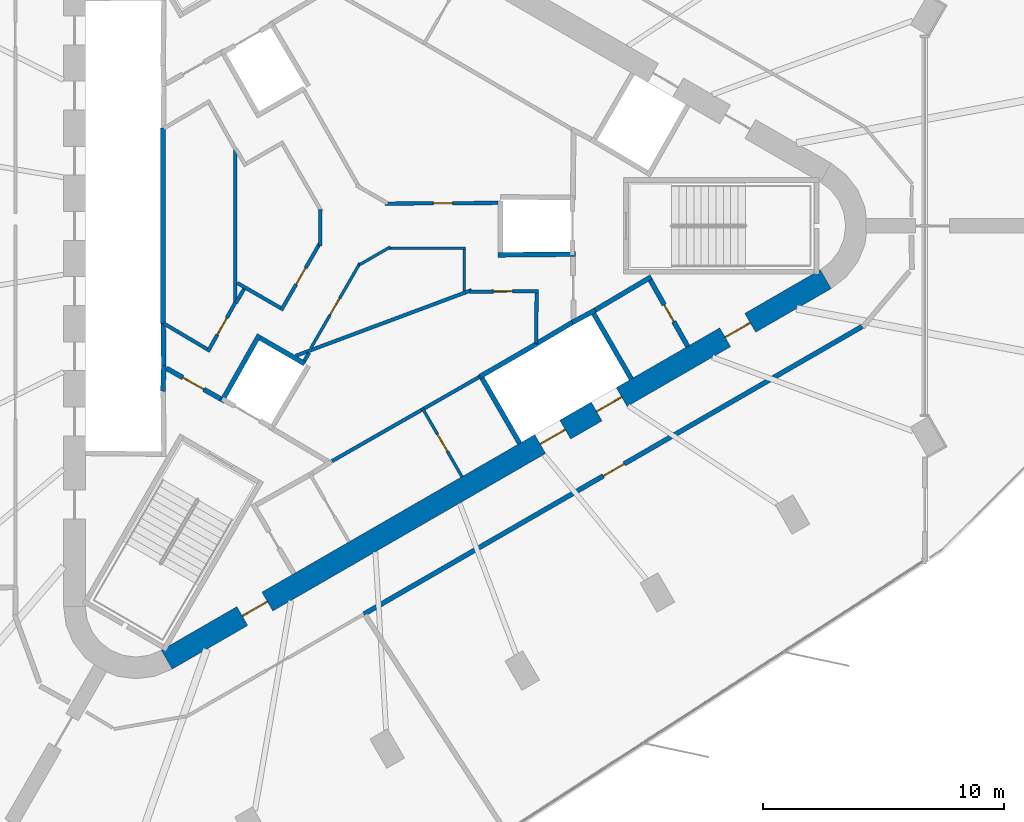
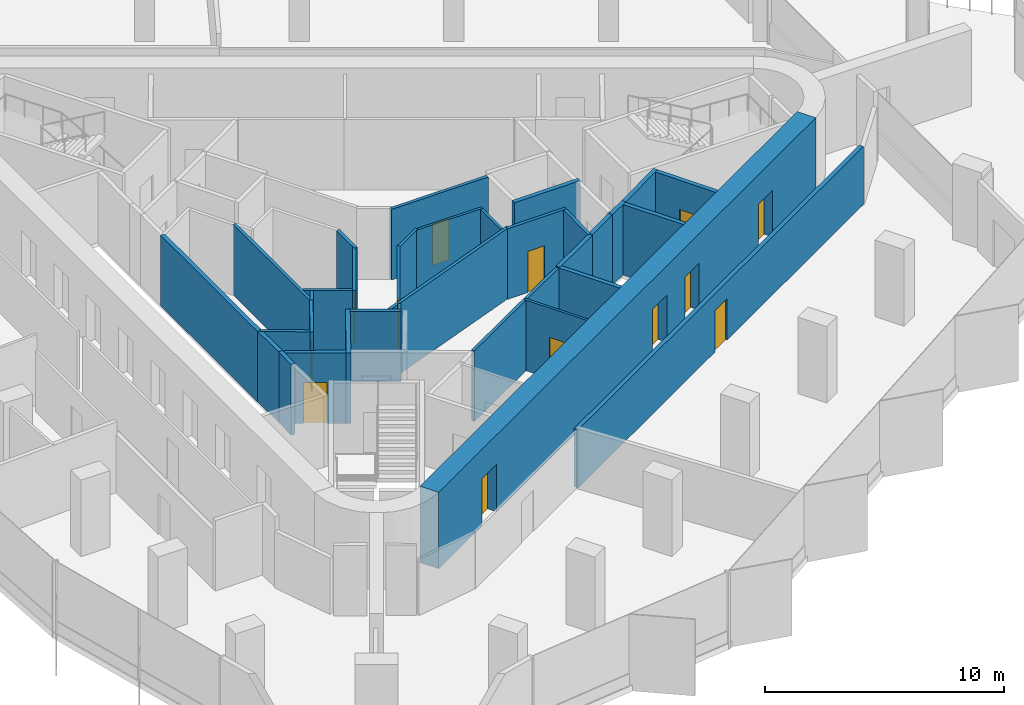
# One storey, part 8 of 12: 34 walls, 13 doors, 13 openings.
"""IFC4 building model written with IfcOpenShell, lengths in metres."""

from ifc_helpers import new_model, si_unit, direction, frame, frame_2d, origin, place, context, subcontext, project, spatial, rectangle, extrude, material, layer, layer_set, type_object, element, fill, save


model = new_model("IFC4")

# Units and contexts
model_context = context("Model", 3, precision=1e-05, world=origin(), true_north=direction((0.0, 1.0)))
body_context = subcontext(model_context, "Body", "Model", "MODEL_VIEW")
ifc_project = project(units=[si_unit("LENGTHUNIT", "METRE"), si_unit("AREAUNIT", "SQUARE_METRE"), si_unit("VOLUMEUNIT", "CUBIC_METRE"), si_unit("PLANEANGLEUNIT", "RADIAN"), si_unit("MASSUNIT", "GRAM", prefix="KILO")], contexts=[model_context])

# Site, building, storey
site_placement = place(None, origin())
site = spatial("IfcSite", under=ifc_project, at=site_placement, CompositionType="ELEMENT")
building_placement = place(site_placement, origin())
building = spatial("IfcBuilding", under=site, at=building_placement, Name="Tanit Gate Tower", CompositionType="ELEMENT")
storey_placement = place(building_placement, frame((0.0, 0.0, 361.10009765625)))
storey = spatial("IfcBuildingStorey", under=building, at=storey_placement, Name="L82", CompositionType="ELEMENT", Elevation=361.10009765625)

# Wall, openings, doors
ifc_material_1 = material(Name="Concrete C40/50", Category="concrete")
ifc_layer_1 = layer(ifc_material_1, 0.89990234375)
ifc_layer_set_1 = layer_set([ifc_layer_1], Name="CORE WALL 900 C40/50")
wall_type_1 = type_object("IfcWallType", Name="CORE WALL 900 C40/50", PredefinedType="SHEAR", material=ifc_layer_set_1)
wall_1_placement = place(storey_placement, frame((-7.824951171875, -17.969970703125, 0.0), z_axis=(0.0, 0.0, 1.0), x_axis=(0.866028369851, 0.499994862586, 0.0)))
wall_1 = element("IfcWall", 1, at=wall_1_placement, inside=storey, type_object=wall_type_1, Name="CORE WALL", PredefinedType="SHEAR", context=body_context, shape_type="SweptSolid", body=[
    extrude(rectangle(XDim=31.523193359375, YDim=0.89990234375, at=frame_2d((15.76171875, 0.0))), origin(), (0.0, 0.0, 1.0), 3.89990234375),
])
opening_1_placement = place(wall_1_placement, frame((17.861572265625, 0.0, 0.0)))
opening_1 = element("IfcOpeningElement", 2, at=opening_1_placement, cuts=wall_1, Name="Opening LDSV1-82", PredefinedType="OPENING", context=body_context, shape_type="SweptSolid", body=[
    extrude(rectangle(XDim=1.199951171875, YDim=2.39990234375, at=frame_2d((0.60009765625, 1.199951171875))), frame((0.0, 0.4599609375, 0.0), z_axis=(0.0, -1.0, 0.0), x_axis=(1.0, 0.0, 0.0)), (0.0, 0.0, 1.0), 0.919921875),
])
opening_2_placement = place(wall_1_placement, frame((20.561767578125, 0.0, 0.0)))
opening_2 = element("IfcOpeningElement", 3, at=opening_2_placement, cuts=wall_1, Name="Opening LDSV2-82", PredefinedType="OPENING", context=body_context, shape_type="SweptSolid", body=[
    extrude(rectangle(XDim=1.199951171875, YDim=2.39990234375, at=frame_2d((0.60009765625, 1.199951171875))), frame((0.0, 0.4599609375, 0.0), z_axis=(0.0, -1.0, 0.0), x_axis=(1.0, 0.0, 0.0)), (0.0, 0.0, 1.0), 0.919921875),
])
opening_3_placement = place(wall_1_placement, frame((26.711669921875, 0.0, 0.0)))
opening_3 = element("IfcOpeningElement", 4, at=opening_3_placement, cuts=wall_1, Name="Opening F12-82-S1", PredefinedType="OPENING", context=body_context, shape_type="SweptSolid", body=[
    extrude(rectangle(XDim=1.199951171875, YDim=2.39990234375, at=frame_2d((0.60009765625, 1.199951171875))), frame((0.0, 0.4599609375, 0.0), z_axis=(0.0, -1.0, 0.0), x_axis=(1.0, 0.0, 0.0)), (0.0, 0.0, 1.0), 0.919921875),
])
opening_4_placement = place(wall_1_placement, frame((3.611572265625, 0.0, 0.0)))
opening_4 = element("IfcOpeningElement", 5, at=opening_4_placement, cuts=wall_1, Name="Opening F12-82-FL3", PredefinedType="OPENING", context=body_context, shape_type="SweptSolid", body=[
    extrude(rectangle(XDim=1.199951171875, YDim=2.39990234375, at=frame_2d((0.60009765625, 1.199951171875))), frame((0.0, 0.4599609375, 0.0), z_axis=(0.0, -1.0, 0.0), x_axis=(1.0, 0.0, 0.0)), (0.0, 0.0, 1.0), 0.919921875),
])
ifc_material_2 = material(Name="Fire-rated steel door leaf", Category="steel")
door_type_1 = type_object("IfcDoorType", Name="INT-DOOR-FIRE-LOBBY-1200", OperationType="NOTDEFINED", PredefinedType="USERDEFINED", material=ifc_material_2)
door_1_placement = place(opening_3_placement, origin())
door_1 = element("IfcDoor", 6, at=door_1_placement, inside=storey, type_object=door_type_1, Name="Door F12-82-S1", ObjectType="FIRE DOOR", OperationType="SINGLE_SWING_RIGHT", OverallHeight=2.39990234375, OverallWidth=1.199951171875, PredefinedType="USERDEFINED", context=body_context, shape_type="SweptSolid", body=[
    extrude(rectangle(XDim=1.199951171875, YDim=2.39990234375, at=frame_2d((0.60009765625, 1.199951171875))), frame((0.0, 0.02490234375, 0.0), z_axis=(0.0, -1.0, 0.0), x_axis=(1.0, 0.0, 0.0)), (0.0, 0.0, 1.0), 0.050048828125),
])
fill(opening_3, door_1)
door_2_placement = place(opening_4_placement, origin())
door_2 = element("IfcDoor", 7, at=door_2_placement, inside=storey, type_object=door_type_1, Name="Door F12-82-FL3", ObjectType="FIRE DOOR", OperationType="SINGLE_SWING_LEFT", OverallHeight=2.39990234375, OverallWidth=1.199951171875, PredefinedType="USERDEFINED", context=body_context, shape_type="SweptSolid", body=[
    extrude(rectangle(XDim=1.199951171875, YDim=2.39990234375, at=frame_2d((0.60009765625, 1.199951171875))), frame((0.0, 0.02490234375, 0.0), z_axis=(0.0, -1.0, 0.0), x_axis=(1.0, 0.0, 0.0)), (0.0, 0.0, 1.0), 0.050048828125),
])
fill(opening_4, door_2)
ifc_material_3 = material(Name="Stainless steel sliding door leaf", Category="steel")
door_type_2 = type_object("IfcDoorType", Name="INT-DOOR-LANDING-1200", OperationType="NOTDEFINED", PredefinedType="USERDEFINED", material=ifc_material_3)
door_3_placement = place(opening_1_placement, origin())
door_3 = element("IfcDoor", 8, at=door_3_placement, inside=storey, type_object=door_type_2, Name="Door LDSV1-82", ObjectType="LANDING DOOR", OperationType="SLIDING_TO_LEFT", OverallHeight=2.39990234375, OverallWidth=1.199951171875, PredefinedType="USERDEFINED", context=body_context, shape_type="SweptSolid", body=[
    extrude(rectangle(XDim=1.199951171875, YDim=2.39990234375, at=frame_2d((0.60009765625, 1.199951171875))), frame((0.0, 0.02490234375, 0.0), z_axis=(0.0, -1.0, 0.0), x_axis=(1.0, 0.0, 0.0)), (0.0, 0.0, 1.0), 0.050048828125),
])
fill(opening_1, door_3)
door_4_placement = place(opening_2_placement, origin())
door_4 = element("IfcDoor", 9, at=door_4_placement, inside=storey, type_object=door_type_2, Name="Door LDSV2-82", ObjectType="LANDING DOOR", OperationType="SLIDING_TO_LEFT", OverallHeight=2.39990234375, OverallWidth=1.199951171875, PredefinedType="USERDEFINED", context=body_context, shape_type="SweptSolid", body=[
    extrude(rectangle(XDim=1.199951171875, YDim=2.39990234375, at=frame_2d((0.60009765625, 1.199951171875))), frame((0.0, 0.02490234375, 0.0), z_axis=(0.0, -1.0, 0.0), x_axis=(1.0, 0.0, 0.0)), (0.0, 0.0, 1.0), 0.050048828125),
])
fill(opening_2, door_4)

# Wall
ifc_material_4 = material(Name="Fire-rated gypsum board partition")
ifc_layer_2 = layer(ifc_material_4, 0.199951171875)
ifc_layer_set_2 = layer_set([ifc_layer_2], Name="INT-WALL-COMPARTMENT")
wall_type_2 = type_object("IfcWallType", Name="INT-WALL-COMPARTMENT", PredefinedType="PARTITIONING", material=ifc_layer_set_2)
wall_2_placement = place(storey_placement, frame((12.244873046875, -2.10888671875, 0.0), z_axis=(0.0, 0.0, 1.0), x_axis=(-0.860414880418, -0.509594185166, 0.0)))
element("IfcWall", 10, at=wall_2_placement, inside=storey, type_object=wall_type_2, Name="Wall Compartment W060", PredefinedType="PARTITIONING", context=body_context, shape_type="SweptSolid", body=[
    extrude(rectangle(XDim=2.7001953125, YDim=0.199951171875, at=frame_2d((1.35009765625, 0.0))), origin(), (0.0, 0.0, 1.0), 3.599853515625),
])

# Wall, opening, door
wall_3_placement = place(storey_placement, frame((13.758056640625, -4.989501953125, 0.0), z_axis=(0.0, 0.0, 1.0), x_axis=(-0.491993409184, 0.87059892334, 0.0)))
wall_3 = element("IfcWall", 11, at=wall_3_placement, inside=storey, type_object=wall_type_2, Name="Wall Compartment W061", PredefinedType="PARTITIONING", context=body_context, shape_type="SweptSolid", body=[
    extrude(rectangle(XDim=3.150146484375, YDim=0.199951171875, at=frame_2d((1.5751953125, 0.0))), origin(), (0.0, 0.0, 1.0), 3.599853515625),
])
opening_5_placement = place(wall_3_placement, frame((1.175048828125, 0.0, 0.0)))
opening_5 = element("IfcOpeningElement", 12, at=opening_5_placement, cuts=wall_3, Name="Opening R08-82-20", PredefinedType="OPENING", context=body_context, shape_type="SweptSolid", body=[
    extrude(rectangle(XDim=0.800048828125, YDim=2.10009765625, at=frame_2d((0.39990234375, 1.050048828125))), frame((0.0, 0.10986328125, 0.0), z_axis=(0.0, -1.0, 0.0), x_axis=(1.0, 0.0, 0.0)), (0.0, 0.0, 1.0), 0.219970703125),
])
ifc_material_5 = material(Name="Timber door leaf", Category="wood")
door_type_3 = type_object("IfcDoorType", Name="INT-DOOR-RISER-800", OperationType="NOTDEFINED", PredefinedType="USERDEFINED", material=ifc_material_5)
door_5_placement = place(opening_5_placement, origin())
door_5 = element("IfcDoor", 13, at=door_5_placement, inside=storey, type_object=door_type_3, Name="Door R08-82-20", ObjectType="FIRE DOOR", OperationType="SINGLE_SWING_LEFT", OverallHeight=2.10009765625, OverallWidth=0.800048828125, PredefinedType="USERDEFINED", context=body_context, shape_type="SweptSolid", body=[
    extrude(rectangle(XDim=0.800048828125, YDim=2.10009765625, at=frame_2d((0.39990234375, 1.050048828125))), frame((0.0, 0.02490234375, 0.0), z_axis=(0.0, -1.0, 0.0), x_axis=(1.0, 0.0, 0.0)), (0.0, 0.0, 1.0), 0.050048828125),
])
fill(opening_5, door_5)

wall_4_placement = place(storey_placement, frame((-7.849365234375, -5.893798828125, 0.0), z_axis=(0.0, 0.0, 1.0), x_axis=(0.871363259478, -0.490638431059, 0.0)))
wall_4 = element("IfcWall", 14, at=wall_4_placement, inside=storey, type_object=wall_type_2, Name="Wall Compartment W067", PredefinedType="PARTITIONING", context=body_context, shape_type="SweptSolid", body=[
    extrude(rectangle(XDim=2.5810546875, YDim=0.199951171875, at=frame_2d((1.29052734375, 0.0))), origin(), (0.0, 0.0, 1.0), 3.599853515625),
])
opening_6_placement = place(wall_4_placement, frame((0.79052734375, 0.0, 0.0)))
opening_6 = element("IfcOpeningElement", 15, at=opening_6_placement, cuts=wall_4, Name="Opening F10-82-08", PredefinedType="OPENING", context=body_context, shape_type="SweptSolid", body=[
    extrude(rectangle(XDim=1.0, YDim=2.10009765625, at=frame_2d((0.5, 1.050048828125))), frame((0.0, 0.10986328125, 0.0), z_axis=(0.0, -1.0, 0.0), x_axis=(1.0, 0.0, 0.0)), (0.0, 0.0, 1.0), 0.219970703125),
])
ifc_material_6 = material(Name="Fire-rated steel door leaf", Category="steel")
door_type_4 = type_object("IfcDoorType", Name="INT-DOOR-FIRE-1000", OperationType="NOTDEFINED", PredefinedType="USERDEFINED", material=ifc_material_6)
door_6_placement = place(opening_6_placement, origin())
door_6 = element("IfcDoor", 16, at=door_6_placement, inside=storey, type_object=door_type_4, Name="Door F10-82-08", ObjectType="FIRE DOOR", OperationType="SINGLE_SWING_LEFT", OverallHeight=2.10009765625, OverallWidth=1.0, PredefinedType="USERDEFINED", context=body_context, shape_type="SweptSolid", body=[
    extrude(rectangle(XDim=1.0, YDim=2.10009765625, at=frame_2d((0.5, 1.050048828125))), frame((0.0, 0.02490234375, 0.0), z_axis=(0.0, -1.0, 0.0), x_axis=(1.0, 0.0, 0.0)), (0.0, 0.0, 1.0), 0.050048828125),
])
fill(opening_6, door_6)

wall_5_placement = place(storey_placement, frame((0.34423828125, -16.08251953125, 0.0), z_axis=(0.0, 0.0, 1.0), x_axis=(0.866024747457, 0.500001136791, 0.0)))
wall_5 = element("IfcWall", 17, at=wall_5_placement, inside=storey, type_object=wall_type_2, Name="Wall Compartment W124", PredefinedType="PARTITIONING", context=body_context, shape_type="SweptSolid", body=[
    extrude(rectangle(XDim=23.8369140625, YDim=0.199951171875, at=frame_2d((11.91845703125, 0.0))), origin(), (0.0, 0.0, 1.0), 2.969970703125),
])
opening_7_placement = place(wall_5_placement, frame((11.4541015625, 0.0, 0.0)))
opening_7 = element("IfcOpeningElement", 18, at=opening_7_placement, cuts=wall_5, Name="Opening F10-82-28", PredefinedType="OPENING", context=body_context, shape_type="SweptSolid", body=[
    extrude(rectangle(XDim=1.0, YDim=2.10009765625, at=frame_2d((0.5, 1.050048828125))), frame((0.0, 0.10986328125, 0.0), z_axis=(0.0, -1.0, 0.0), x_axis=(1.0, 0.0, 0.0)), (0.0, 0.0, 1.0), 0.219970703125),
])
door_7_placement = place(opening_7_placement, origin())
door_7 = element("IfcDoor", 19, at=door_7_placement, inside=storey, type_object=door_type_4, Name="Door F10-82-28", ObjectType="FIRE DOOR", OperationType="SINGLE_SWING_RIGHT", OverallHeight=2.10009765625, OverallWidth=1.0, PredefinedType="USERDEFINED", context=body_context, shape_type="SweptSolid", body=[
    extrude(rectangle(XDim=1.0, YDim=2.10009765625, at=frame_2d((0.5, 1.050048828125))), frame((0.0, 0.02490234375, 0.0), z_axis=(0.0, -1.0, 0.0), x_axis=(1.0, 0.0, 0.0)), (0.0, 0.0, 1.0), 0.050048828125),
])
fill(opening_7, door_7)

ifc_material_7 = material(Name="Gypsum board partition")
ifc_layer_3 = layer(ifc_material_7, 0.1201171875)
ifc_layer_set_3 = layer_set([ifc_layer_3], Name="INT-WALL-PARTITION")
wall_type_3 = type_object("IfcWallType", Name="INT-WALL-PARTITION", PredefinedType="PARTITIONING", material=ifc_layer_set_3)
wall_6_placement = place(storey_placement, frame((4.40478515625, -10.389404296875, 0.0), z_axis=(0.0, 0.0, 1.0), x_axis=(-0.500017246033, 0.866015446554, 0.0)))
wall_6 = element("IfcWall", 20, at=wall_6_placement, inside=storey, type_object=wall_type_3, Name="Wall Partition W056", PredefinedType="PARTITIONING", context=body_context, shape_type="SweptSolid", body=[
    extrude(rectangle(XDim=3.25, YDim=0.1201171875, at=frame_2d((1.625, 0.0))), origin(), (0.0, 0.0, 1.0), 3.599853515625),
])
opening_8_placement = place(wall_6_placement, frame((1.22509765625, 0.0, 0.0)))
opening_8 = element("IfcOpeningElement", 21, at=opening_8_placement, cuts=wall_6, Name="Opening R08-82-19", PredefinedType="OPENING", context=body_context, shape_type="SweptSolid", body=[
    extrude(rectangle(XDim=0.800048828125, YDim=2.10009765625, at=frame_2d((0.39990234375, 1.050048828125))), frame((0.0, 0.070068359375, 0.0), z_axis=(0.0, -1.0, 0.0), x_axis=(1.0, 0.0, 0.0)), (0.0, 0.0, 1.0), 0.14013671875),
])
door_8_placement = place(opening_8_placement, origin())
door_8 = element("IfcDoor", 22, at=door_8_placement, inside=storey, type_object=door_type_3, Name="Door R08-82-19", ObjectType="FIRE DOOR", OperationType="SINGLE_SWING_RIGHT", OverallHeight=2.10009765625, OverallWidth=0.800048828125, PredefinedType="USERDEFINED", context=body_context, shape_type="SweptSolid", body=[
    extrude(rectangle(XDim=0.800048828125, YDim=2.10009765625, at=frame_2d((0.39990234375, 1.050048828125))), frame((0.0, 0.02490234375, 0.0), z_axis=(0.0, -1.0, 0.0), x_axis=(1.0, 0.0, 0.0)), (0.0, 0.0, 1.0), 0.050048828125),
])
fill(opening_8, door_8)

wall_7_placement = place(storey_placement, frame((0.181884765625, -1.534912109375, 0.0), z_axis=(0.0, 0.0, 1.0), x_axis=(-0.499988401207, -0.866032100247, 0.0)))
wall_7 = element("IfcWall", 23, at=wall_7_placement, inside=storey, type_object=wall_type_3, Name="Wall Partition W072", PredefinedType="PARTITIONING", context=body_context, shape_type="SweptSolid", body=[
    extrude(rectangle(XDim=4.0791015625, YDim=0.1201171875, at=frame_2d((2.03955078125, 0.0))), origin(), (0.0, 0.0, 1.0), 3.599853515625),
])
opening_9_placement = place(wall_7_placement, frame((1.69140625, 0.0, 0.0)))
opening_9 = element("IfcOpeningElement", 24, at=opening_9_placement, cuts=wall_7, Name="Opening R08-82-11", PredefinedType="OPENING", context=body_context, shape_type="SweptSolid", body=[
    extrude(rectangle(XDim=0.800048828125, YDim=2.10009765625, at=frame_2d((0.39990234375, 1.050048828125))), frame((0.0, 0.070068359375, 0.0), z_axis=(0.0, -1.0, 0.0), x_axis=(1.0, 0.0, 0.0)), (0.0, 0.0, 1.0), 0.14013671875),
])
door_9_placement = place(opening_9_placement, origin())
door_9 = element("IfcDoor", 25, at=door_9_placement, inside=storey, type_object=door_type_3, Name="Door R08-82-11", ObjectType="FIRE DOOR", OperationType="SINGLE_SWING_LEFT", OverallHeight=2.10009765625, OverallWidth=0.800048828125, PredefinedType="USERDEFINED", context=body_context, shape_type="SweptSolid", body=[
    extrude(rectangle(XDim=0.800048828125, YDim=2.10009765625, at=frame_2d((0.39990234375, 1.050048828125))), frame((0.0, 0.02490234375, 0.0), z_axis=(0.0, -1.0, 0.0), x_axis=(1.0, 0.0, 0.0)), (0.0, 0.0, 1.0), 0.050048828125),
])
fill(opening_9, door_9)

# Walls
wall_8_placement = place(storey_placement, frame((1.432373046875, -0.873046875, 0.0), z_axis=(0.0, 0.0, 1.0), x_axis=(-0.866029572143, -0.499992780121, 0.0)))
element("IfcWall", 26, at=wall_8_placement, inside=storey, type_object=wall_type_3, Name="Wall Partition W073", PredefinedType="PARTITIONING", context=body_context, shape_type="SweptSolid", body=[
    extrude(rectangle(XDim=1.4853515625, YDim=0.1201171875, at=frame_2d((0.74267578125, 0.0))), origin(), (0.0, 0.0, 1.0), 3.599853515625),
])
wall_9_placement = place(storey_placement, frame((4.56005859375, -0.925048828125, 0.0), z_axis=(0.0, 0.0, 1.0), x_axis=(-1.0, 0.0, 0.0)))
element("IfcWall", 27, at=wall_9_placement, inside=storey, type_object=wall_type_3, Name="Wall Partition W074", PredefinedType="PARTITIONING", context=body_context, shape_type="SweptSolid", body=[
    extrude(rectangle(XDim=3.19921875, YDim=0.1201171875, at=frame_2d((1.599609375, 0.0))), origin(), (0.0, 0.0, 1.0), 3.599853515625),
])
wall_10_placement = place(storey_placement, frame((4.5, -2.699951171875, 0.0), z_axis=(0.0, 0.0, 1.0), x_axis=(0.0, 1.0, 0.0)))
element("IfcWall", 28, at=wall_10_placement, inside=storey, type_object=wall_type_3, Name="Wall Partition W075", PredefinedType="PARTITIONING", context=body_context, shape_type="SweptSolid", body=[
    extrude(rectangle(XDim=1.71484375, YDim=0.1201171875, at=frame_2d((0.857421875, 0.0))), origin(), (0.0, 0.0, 1.0), 3.599853515625),
])
ifc_material_8 = material(Name="Fire-rated gypsum board partition")
ifc_layer_4 = layer(ifc_material_8, 0.14990234375)
ifc_layer_set_4 = layer_set([ifc_layer_4], Name="INT-WALL-RISER")
wall_type_4 = type_object("IfcWallType", Name="INT-WALL-RISER", PredefinedType="PLUMBINGWALL", material=ifc_layer_set_4)
wall_11_placement = place(storey_placement, frame((-0.980224609375, -9.746337890625, 0.0), z_axis=(0.0, 0.0, 1.0), x_axis=(0.868105023632, 0.496380567654, 0.0)))
element("IfcWall", 29, at=wall_11_placement, inside=storey, type_object=wall_type_4, Name="Wall Riser W058", PredefinedType="PLUMBINGWALL", context=body_context, shape_type="SweptSolid", body=[
    extrude(rectangle(XDim=7.072265625, YDim=0.14990234375, at=frame_2d((3.5361328125, 0.0))), origin(), (0.0, 0.0, 1.0), 3.599853515625),
])

# Wall, opening, door
wall_12_placement = place(storey_placement, frame((1.21435546875, 0.924072265625, 0.0), z_axis=(0.0, 0.0, 1.0), x_axis=(0.999979796062, 0.006356686907, 0.0)))
wall_12 = element("IfcWall", 30, at=wall_12_placement, inside=storey, type_object=wall_type_4, Name="Wall Riser W068", PredefinedType="PLUMBINGWALL", context=body_context, shape_type="SweptSolid", body=[
    extrude(rectangle(XDim=4.685546875, YDim=0.14990234375, at=frame_2d((2.3427734375, 0.0))), origin(), (0.0, 0.0, 1.0), 3.599853515625),
])
opening_10_placement = place(wall_12_placement, frame((2.0068359375, 0.0, 0.0)))
opening_10 = element("IfcOpeningElement", 31, at=opening_10_placement, cuts=wall_12, Name="Opening R08-82-10", PredefinedType="OPENING", context=body_context, shape_type="SweptSolid", body=[
    extrude(rectangle(XDim=0.800048828125, YDim=2.10009765625, at=frame_2d((0.39990234375, 1.050048828125))), frame((0.0, 0.0849609375, 0.0), z_axis=(0.0, -1.0, 0.0), x_axis=(1.0, 0.0, 0.0)), (0.0, 0.0, 1.0), 0.169921875),
])
door_10_placement = place(opening_10_placement, origin())
door_10 = element("IfcDoor", 32, at=door_10_placement, inside=storey, type_object=door_type_3, Name="Door R08-82-10", ObjectType="FIRE DOOR", OperationType="SINGLE_SWING_LEFT", OverallHeight=2.10009765625, OverallWidth=0.800048828125, PredefinedType="USERDEFINED", context=body_context, shape_type="SweptSolid", body=[
    extrude(rectangle(XDim=0.800048828125, YDim=2.10009765625, at=frame_2d((0.39990234375, 1.050048828125))), frame((0.0, 0.02490234375, 0.0), z_axis=(0.0, -1.0, 0.0), x_axis=(1.0, 0.0, 0.0)), (0.0, 0.0, 1.0), 0.050048828125),
])
fill(opening_10, door_10)

# Walls
wall_13_placement = place(storey_placement, frame((4.80712890625, -2.658935546875, 0.0), z_axis=(0.0, 0.0, 1.0), x_axis=(-0.936818342118, -0.349816228714, 0.0)))
element("IfcWall", 33, at=wall_13_placement, inside=storey, type_object=wall_type_4, Name="Wall Riser W071", PredefinedType="PLUMBINGWALL", context=body_context, shape_type="SweptSolid", body=[
    extrude(rectangle(XDim=7.779541015625, YDim=0.14990234375, at=frame_2d((3.8896484375, 0.0))), origin(), (0.0, 0.0, 1.0), 3.599853515625),
])
wall_14_placement = place(storey_placement, frame((-1.93212890625, -5.255615234375, 0.0), z_axis=(0.0, 0.0, 1.0), x_axis=(-0.499777709171, -0.866153705422, 0.0)))
element("IfcWall", 34, at=wall_14_placement, inside=storey, type_object=wall_type_4, Name="Wall Riser W076", PredefinedType="PLUMBINGWALL", context=body_context, shape_type="SweptSolid", body=[
    extrude(rectangle(XDim=0.382568359375, YDim=0.14990234375, at=frame_2d((0.19140625, 0.0))), origin(), (0.0, 0.0, 1.0), 3.599853515625),
])

# Wall, opening, door
wall_15_placement = place(storey_placement, frame((7.574951171875, -2.69921875, 0.0), z_axis=(0.0, 0.0, 1.0), x_axis=(-0.999947791603, -0.010218320275, 0.0)))
wall_15 = element("IfcWall", 35, at=wall_15_placement, inside=storey, type_object=wall_type_4, Name="Wall Riser W077", PredefinedType="PLUMBINGWALL", context=body_context, shape_type="SweptSolid", body=[
    extrude(rectangle(XDim=2.8671875, YDim=0.14990234375, at=frame_2d((1.43359375, 0.0))), origin(), (0.0, 0.0, 1.0), 3.599853515625),
])
opening_11_placement = place(wall_15_placement, frame((1.071044921875, 0.0, 0.0)))
opening_11 = element("IfcOpeningElement", 36, at=opening_11_placement, cuts=wall_15, Name="Opening R08-82-12", PredefinedType="OPENING", context=body_context, shape_type="SweptSolid", body=[
    extrude(rectangle(XDim=0.800048828125, YDim=2.10009765625, at=frame_2d((0.39990234375, 1.050048828125))), frame((0.0, 0.0849609375, 0.0), z_axis=(0.0, -1.0, 0.0), x_axis=(1.0, 0.0, 0.0)), (0.0, 0.0, 1.0), 0.169921875),
])
door_11_placement = place(opening_11_placement, origin())
door_11 = element("IfcDoor", 37, at=door_11_placement, inside=storey, type_object=door_type_3, Name="Door R08-82-12", ObjectType="FIRE DOOR", OperationType="SINGLE_SWING_RIGHT", OverallHeight=2.10009765625, OverallWidth=0.800048828125, PredefinedType="USERDEFINED", context=body_context, shape_type="SweptSolid", body=[
    extrude(rectangle(XDim=0.800048828125, YDim=2.10009765625, at=frame_2d((0.39990234375, 1.050048828125))), frame((0.0, 0.02490234375, 0.0), z_axis=(0.0, -1.0, 0.0), x_axis=(1.0, 0.0, 0.0)), (0.0, 0.0, 1.0), 0.050048828125),
])
fill(opening_11, door_11)

# Walls
wall_16_placement = place(storey_placement, frame((7.474609375, -4.864501953125, 0.0), z_axis=(0.0, 0.0, 1.0), x_axis=(0.011682810534, 0.99993175364, 0.0)))
element("IfcWall", 38, at=wall_16_placement, inside=storey, type_object=wall_type_4, Name="Wall Riser W078", PredefinedType="PLUMBINGWALL", context=body_context, shape_type="SweptSolid", body=[
    extrude(rectangle(XDim=2.08984375, YDim=0.14990234375, at=frame_2d((1.044921875, 0.0))), origin(), (0.0, 0.0, 1.0), 3.599853515625),
])
wall_17_placement = place(storey_placement, frame((-4.985107421875, -3.234619140625, 0.0), z_axis=(0.0, 0.0, 1.0), x_axis=(0.0, 1.0, 0.0)))
element("IfcWall", 39, at=wall_17_placement, inside=storey, type_object=wall_type_4, Name="Wall Riser W079", PredefinedType="PLUMBINGWALL", context=body_context, shape_type="SweptSolid", body=[
    extrude(rectangle(XDim=6.46923828125, YDim=0.14990234375, at=frame_2d((3.234619140625, 0.0))), origin(), (0.0, 0.0, 1.0), 3.599853515625),
])

# Wall, opening, door
wall_18_placement = place(storey_placement, frame((-6.125, -5.210693359375, 0.0), z_axis=(0.0, 0.0, 1.0), x_axis=(0.488762436737, 0.87241691893, 0.0)))
wall_18 = element("IfcWall", 40, at=wall_18_placement, inside=storey, type_object=wall_type_4, Name="Wall Riser W080", PredefinedType="PLUMBINGWALL", context=body_context, shape_type="SweptSolid", body=[
    extrude(rectangle(XDim=2.336669921875, YDim=0.14990234375, at=frame_2d((1.16845703125, 0.0))), origin(), (0.0, 0.0, 1.0), 3.599853515625),
])
opening_12_placement = place(wall_18_placement, frame((0.805908203125, 0.0, 0.0)))
opening_12 = element("IfcOpeningElement", 41, at=opening_12_placement, cuts=wall_18, Name="Opening R08-82-13", PredefinedType="OPENING", context=body_context, shape_type="SweptSolid", body=[
    extrude(rectangle(XDim=0.800048828125, YDim=2.10009765625, at=frame_2d((0.39990234375, 1.050048828125))), frame((0.0, 0.0849609375, 0.0), z_axis=(0.0, -1.0, 0.0), x_axis=(1.0, 0.0, 0.0)), (0.0, 0.0, 1.0), 0.169921875),
])
door_12_placement = place(opening_12_placement, origin())
door_12 = element("IfcDoor", 42, at=door_12_placement, inside=storey, type_object=door_type_3, Name="Door R08-82-13", ObjectType="FIRE DOOR", OperationType="SINGLE_SWING_LEFT", OverallHeight=2.10009765625, OverallWidth=0.800048828125, PredefinedType="USERDEFINED", context=body_context, shape_type="SweptSolid", body=[
    extrude(rectangle(XDim=0.800048828125, YDim=2.10009765625, at=frame_2d((0.39990234375, 1.050048828125))), frame((0.0, 0.02490234375, 0.0), z_axis=(0.0, -1.0, 0.0), x_axis=(1.0, 0.0, 0.0)), (0.0, 0.0, 1.0), 0.050048828125),
])
fill(opening_12, door_12)

# Walls
wall_19_placement = place(storey_placement, frame((-7.949951171875, -4.041015625, 0.0), z_axis=(0.0, 0.0, 1.0), x_axis=(0.860090281069, -0.510141851263, 0.0)))
element("IfcWall", 43, at=wall_19_placement, inside=storey, type_object=wall_type_4, Name="Wall Riser W081", PredefinedType="PLUMBINGWALL", context=body_context, shape_type="SweptSolid", body=[
    extrude(rectangle(XDim=2.08935546875, YDim=0.14990234375, at=frame_2d((1.044677734375, 0.0))), origin(), (0.0, 0.0, 1.0), 3.599853515625),
])
wall_20_placement = place(storey_placement, frame((-1.47216796875, -0.829833984375, 0.0), z_axis=(0.0, 0.0, 1.0), x_axis=(0.0, 1.0, 0.0)))
element("IfcWall", 44, at=wall_20_placement, inside=storey, type_object=wall_type_4, Name="Wall Riser W087", PredefinedType="PLUMBINGWALL", context=body_context, shape_type="SweptSolid", body=[
    extrude(rectangle(XDim=1.506591796875, YDim=0.14990234375, at=frame_2d((0.75341796875, 0.0))), origin(), (0.0, 0.0, 1.0), 3.599853515625),
])

# Wall, opening, door
wall_21_placement = place(storey_placement, frame((-3.088623046875, -3.49951171875, 0.0), z_axis=(0.0, 0.0, 1.0), x_axis=(0.500025362525, 0.866010760229, 0.0)))
wall_21 = element("IfcWall", 45, at=wall_21_placement, inside=storey, type_object=wall_type_4, Name="Wall Riser W088", PredefinedType="PLUMBINGWALL", context=body_context, shape_type="SweptSolid", body=[
    extrude(rectangle(XDim=3.209228515625, YDim=0.14990234375, at=frame_2d((1.6044921875, 0.0))), origin(), (0.0, 0.0, 1.0), 3.599853515625),
])
opening_13_placement = place(wall_21_placement, frame((1.2421875, 0.0, 0.0)))
opening_13 = element("IfcOpeningElement", 46, at=opening_13_placement, cuts=wall_21, Name="Opening R08-82-14", PredefinedType="OPENING", context=body_context, shape_type="SweptSolid", body=[
    extrude(rectangle(XDim=0.800048828125, YDim=2.10009765625, at=frame_2d((0.39990234375, 1.050048828125))), frame((0.0, 0.0849609375, 0.0), z_axis=(0.0, -1.0, 0.0), x_axis=(1.0, 0.0, 0.0)), (0.0, 0.0, 1.0), 0.169921875),
])
door_13_placement = place(opening_13_placement, origin())
door_13 = element("IfcDoor", 47, at=door_13_placement, inside=storey, type_object=door_type_3, Name="Door R08-82-14", ObjectType="FIRE DOOR", OperationType="SINGLE_SWING_RIGHT", OverallHeight=2.10009765625, OverallWidth=0.800048828125, PredefinedType="USERDEFINED", context=body_context, shape_type="SweptSolid", body=[
    extrude(rectangle(XDim=0.800048828125, YDim=2.10009765625, at=frame_2d((0.39990234375, 1.050048828125))), frame((0.0, 0.02490234375, 0.0), z_axis=(0.0, -1.0, 0.0), x_axis=(1.0, 0.0, 0.0)), (0.0, 0.0, 1.0), 0.050048828125),
])
fill(opening_13, door_13)

# Walls
wall_22_placement = place(storey_placement, frame((-4.91015625, -2.361328125, 0.0), z_axis=(0.0, 0.0, 1.0), x_axis=(0.866022705876, -0.500004672885, 0.0)))
element("IfcWall", 48, at=wall_22_placement, inside=storey, type_object=wall_type_4, Name="Wall Riser W089", PredefinedType="PLUMBINGWALL", context=body_context, shape_type="SweptSolid", body=[
    extrude(rectangle(XDim=2.07177734375, YDim=0.14990234375, at=frame_2d((1.035888671875, 0.0))), origin(), (0.0, 0.0, 1.0), 3.599853515625),
])
wall_23_placement = place(storey_placement, frame((-4.957275390625, -3.1865234375, 0.0), z_axis=(0.0, 0.0, 1.0), x_axis=(0.499860530385, 0.866105911632, 0.0)))
element("IfcWall", 49, at=wall_23_placement, inside=storey, type_object=wall_type_4, Name="Wall Riser W090", PredefinedType="PLUMBINGWALL", context=body_context, shape_type="SweptSolid", body=[
    extrude(rectangle(XDim=0.663330078125, YDim=0.14990234375, at=frame_2d((0.33154296875, 0.0))), origin(), (0.0, 0.0, 1.0), 3.599853515625),
])
ifc_material_9 = material(Name="Gypsum shaft wall system")
ifc_layer_5 = layer(ifc_material_9, 0.199951171875)
ifc_layer_set_5 = layer_set([ifc_layer_5], Name="INT-WALL-SHAFT")
wall_type_5 = type_object("IfcWallType", Name="INT-WALL-SHAFT", PredefinedType="PLUMBINGWALL", material=ifc_layer_set_5)
wall_24_placement = place(storey_placement, frame((-7.97998046875, 4.050048828125, 0.0), z_axis=(0.0, 0.0, 1.0), x_axis=(0.0, -1.0, 0.0)))
element("IfcWall", 50, at=wall_24_placement, inside=storey, type_object=wall_type_5, Name="Wall Shaft W005", PredefinedType="PLUMBINGWALL", context=body_context, shape_type="SweptSolid", body=[
    extrude(rectangle(XDim=8.10009765625, YDim=0.199951171875, at=frame_2d((4.050048828125, 0.0))), origin(), (0.0, 0.0, 1.0), 3.599853515625),
])
wall_25_placement = place(storey_placement, frame((-7.949951171875, -5.7724609375, 0.0), z_axis=(0.0, 0.0, 1.0), x_axis=(-0.030803413295, -0.999525462272, 0.0)))
element("IfcWall", 51, at=wall_25_placement, inside=storey, type_object=wall_type_5, Name="Wall Shaft W008", PredefinedType="PLUMBINGWALL", context=body_context, shape_type="SweptSolid", body=[
    extrude(rectangle(XDim=1.077880859375, YDim=0.199951171875, at=frame_2d((0.5390625, 0.0))), origin(), (0.0, 0.0, 1.0), 3.599853515625),
])
wall_26_placement = place(storey_placement, frame((-7.971435546875, -4.050048828125, 0.0), z_axis=(0.0, 0.0, 1.0), x_axis=(0.012042535896, -0.999927486035, 0.0)))
element("IfcWall", 52, at=wall_26_placement, inside=storey, type_object=wall_type_5, Name="Wall Shaft W009", PredefinedType="PLUMBINGWALL", context=body_context, shape_type="SweptSolid", body=[
    extrude(rectangle(XDim=1.844970703125, YDim=0.199951171875, at=frame_2d((0.92236328125, 0.0))), origin(), (0.0, 0.0, 1.0), 3.599853515625),
])
wall_27_placement = place(storey_placement, frame((6.795166015625, -9.009521484375, 0.0), z_axis=(0.0, 0.0, 1.0), x_axis=(-0.499984717929, 0.866034226713, 0.0)))
element("IfcWall", 53, at=wall_27_placement, inside=storey, type_object=wall_type_5, Name="Wall Shaft W015", PredefinedType="PLUMBINGWALL", context=body_context, shape_type="SweptSolid", body=[
    extrude(rectangle(XDim=3.25, YDim=0.199951171875, at=frame_2d((1.625, 0.0))), origin(), (0.0, 0.0, 1.0), 3.599853515625),
])
wall_28_placement = place(storey_placement, frame((5.1591796875, -6.23583984375, 0.0), z_axis=(0.0, 0.0, 1.0), x_axis=(0.866036505625, 0.499980770555, 0.0)))
element("IfcWall", 54, at=wall_28_placement, inside=storey, type_object=wall_type_5, Name="Wall Shaft W016", PredefinedType="PLUMBINGWALL", context=body_context, shape_type="SweptSolid", body=[
    extrude(rectangle(XDim=2.69970703125, YDim=0.199951171875, at=frame_2d((1.349853515625, 0.0))), origin(), (0.0, 0.0, 1.0), 3.599853515625),
])
wall_29_placement = place(storey_placement, frame((9.794677734375, -3.52490234375, 0.0), z_axis=(0.0, 0.0, 1.0), x_axis=(0.499984717929, -0.866034226713, 0.0)))
element("IfcWall", 55, at=wall_29_placement, inside=storey, type_object=wall_type_5, Name="Wall Shaft W017", PredefinedType="PLUMBINGWALL", context=body_context, shape_type="SweptSolid", body=[
    extrude(rectangle(XDim=3.25, YDim=0.199951171875, at=frame_2d((1.625, 0.0))), origin(), (0.0, 0.0, 1.0), 3.599853515625),
])
wall_30_placement = place(storey_placement, frame((8.97412109375, -3.998779296875, 0.0), z_axis=(0.0, 0.0, 1.0), x_axis=(0.880907015104, 0.473289373154, 0.0)))
element("IfcWall", 56, at=wall_30_placement, inside=storey, type_object=wall_type_5, Name="Wall Shaft W018", PredefinedType="PLUMBINGWALL", context=body_context, shape_type="SweptSolid", body=[
    extrude(rectangle(XDim=1.078125, YDim=0.199951171875, at=frame_2d((0.5390625, 0.0))), origin(), (0.0, 0.0, 1.0), 3.599853515625),
])
wall_31_placement = place(storey_placement, frame((7.4931640625, -4.87841796875, 0.0), z_axis=(0.0, 0.0, 1.0), x_axis=(0.859981807212, 0.510324691999, 0.0)))
element("IfcWall", 57, at=wall_31_placement, inside=storey, type_object=wall_type_5, Name="Wall Shaft W019", PredefinedType="PLUMBINGWALL", context=body_context, shape_type="SweptSolid", body=[
    extrude(rectangle(XDim=1.8447265625, YDim=0.199951171875, at=frame_2d((0.92236328125, 0.0))), origin(), (0.0, 0.0, 1.0), 3.599853515625),
])
for number, where, z_axis, x_axis, name in (
    (58, (5.89990234375, -1.200927734375, 0.0), (0.0, 0.0, 1.0), (0.999950064753, 0.009993397809, 0.0), "Wall Shaft W027"),
    (59, (-3.989990234375, -4.509033203125, 0.0), (0.0, 0.0, 1.0), (-0.491358283181, -0.870957540612, 0.0), "Wall Shaft W045"),
):
    element("IfcWall", number, at=place(storey_placement, frame(where, z_axis=z_axis, x_axis=x_axis)), inside=storey, type_object=wall_type_5, Name=name, PredefinedType="PLUMBINGWALL", context=body_context, shape_type="SweptSolid", body=[
        extrude(rectangle(XDim=3.200439453125, YDim=0.199951171875, at=frame_2d((1.60009765625, 0.0))), origin(), (0.0, 0.0, 1.0), 3.599853515625),
    ])
wall_32_placement = place(storey_placement, frame((-3.95263671875, -4.646240234375, 0.0), z_axis=(0.0, 0.0, 1.0), x_axis=(0.866040491692, -0.499973866067, 0.0)))
element("IfcWall", 60, at=wall_32_placement, inside=storey, type_object=wall_type_5, Name="Wall Shaft W046", PredefinedType="PLUMBINGWALL", context=body_context, shape_type="SweptSolid", body=[
    extrude(rectangle(XDim=2.12939453125, YDim=0.199951171875, at=frame_2d((1.064697265625, 0.0))), origin(), (0.0, 0.0, 1.0), 3.599853515625),
])

save(model, "model.ifc")
